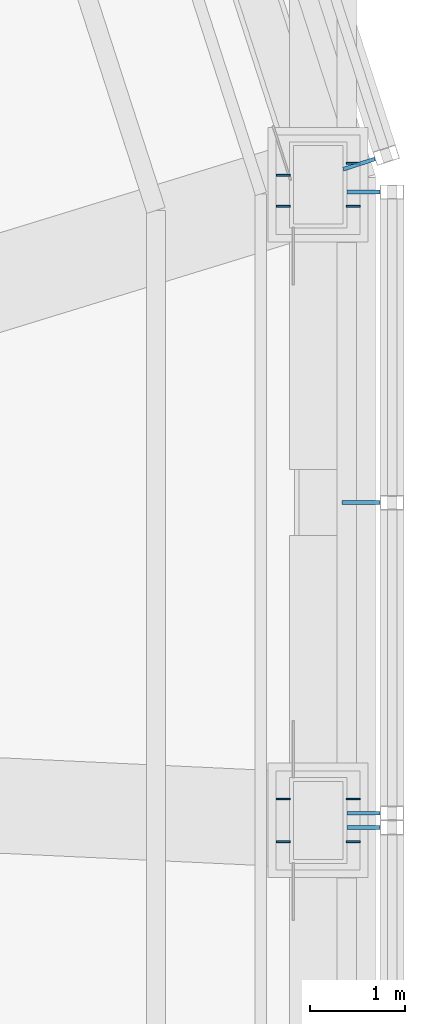
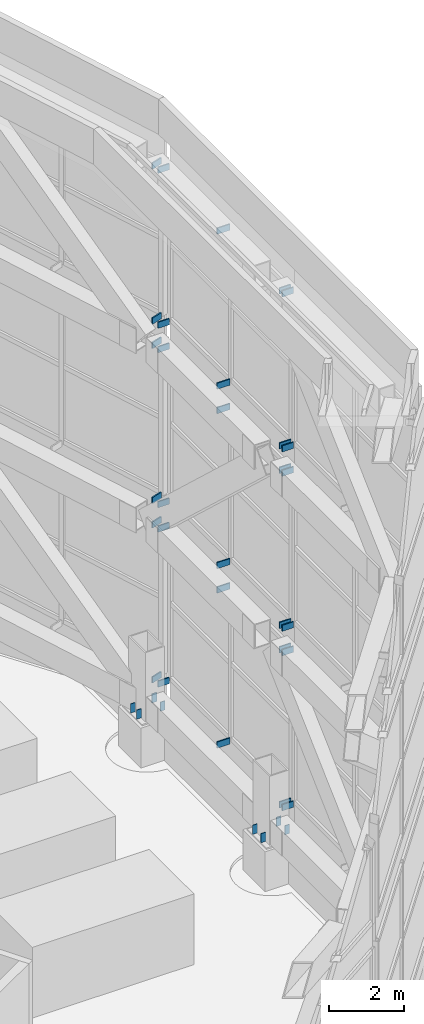
# One storey, part 37 of 46: 38 discrete accessories.
"""IFC4 building model written with IfcOpenShell, lengths in metres."""

from ifc_helpers import new_model, si_unit, direction, frame, origin, origin_2d, place, context, subcontext, project, spatial, rectangle, extrude, material, layer, layer_set, type_object, element, save


model = new_model("IFC4")

# Units and contexts
model_context = context("Model", 3, precision=1e-05, world=origin(), true_north=direction((0.0, 1.0)))
body_context = subcontext(model_context, "Body", "Model", "MODEL_VIEW")
ifc_project = project(units=[si_unit("LENGTHUNIT", "METRE"), si_unit("AREAUNIT", "SQUARE_METRE"), si_unit("VOLUMEUNIT", "CUBIC_METRE"), si_unit("PLANEANGLEUNIT", "RADIAN"), si_unit("MASSUNIT", "GRAM", prefix="KILO")], contexts=[model_context])

# Site, building, storey
site_placement = place(None, origin())
site = spatial("IfcSite", under=ifc_project, at=site_placement, CompositionType="ELEMENT")
building_placement = place(site_placement, origin())
building = spatial("IfcBuilding", under=site, at=building_placement, Name="Vanh Sen Convention Tower", CompositionType="ELEMENT")
storey_placement = place(building_placement, frame((0.0, 0.0, 305.0)))
storey = spatial("IfcBuildingStorey", under=building, at=storey_placement, Name="Roof level", CompositionType="ELEMENT", Elevation=305.0)

# Discrete accessories
ifc_material_1 = material(Name="Steel S355", Category="steel")
ifc_layer = layer(ifc_material_1, 0.02001953125)
ifc_layer_set = layer_set([ifc_layer], Name="Steel S355")
discrete_accessory_type_1 = type_object("IfcDiscreteAccessoryType", Name="Crown base plate stiffener 140 x 300 x 20", PredefinedType="USERDEFINED", material=ifc_layer_set)
for number, where, z_axis, x_axis, name in (
    (1, (18.4326171875, -0.658447265625, 1.34521484375), (0.0, 0.0, 1.0), (-1.0, 0.0, 0.0), "STIFFENER crown column 02 rib 1"),
    (2, (18.4326171875, -1.1083984375, 1.34521484375), (0.0, 0.0, 1.0), (-1.0, 0.0, 0.0), "STIFFENER crown column 02 rib 2"),
    (3, (19.16748046875, -0.658447265625, 1.34521484375), (0.0, 0.0, 1.0), (-1.0, 0.0, 0.0), "STIFFENER crown column 02 rib 3"),
    (4, (19.16748046875, -1.1083984375, 1.34521484375), (0.0, 0.0, 1.0), (-1.0, 0.0, 0.0), "STIFFENER crown column 02 rib 4"),
    (5, (18.4326171875, 5.8798828125, 1.34521484375), (0.0, 0.0, 1.0), (-1.0, 0.0, 0.0), "STIFFENER crown column 03 rib 1"),
    (6, (18.4326171875, 5.554931640625, 1.34521484375), (0.0, 0.0, 1.0), (-1.0, 0.0, 0.0), "STIFFENER crown column 03 rib 2"),
    (7, (19.16748046875, 6.0048828125, 1.34521484375), (0.0, 0.0, 1.0), (-1.0, 0.0, 0.0), "STIFFENER crown column 03 rib 3"),
    (8, (19.16748046875, 5.554931640625, 1.34521484375), (0.0, 0.0, 1.0), (-1.0, 0.0, 0.0), "STIFFENER crown column 03 rib 4"),
):
    element("IfcDiscreteAccessory", number, at=place(storey_placement, frame(where, z_axis=z_axis, x_axis=x_axis)), inside=storey, type_object=discrete_accessory_type_1, Name=name, ObjectType="STIFFENER", PredefinedType="USERDEFINED", context=body_context, shape_type="SweptSolid", body=[
        extrude(rectangle(XDim=0.14501953125, YDim=0.02001953125, at=origin_2d()), origin(), (0.0, 0.0, 1.0), 0.300048828125),
    ])
ifc_material_2 = material(Name="Steel S355", Category="steel")
discrete_accessory_type_2 = type_object("IfcDiscreteAccessoryType", Name="Crown screen bracket 40 x 200", PredefinedType="BRACKET", material=ifc_material_2)
for number, where, z_axis, x_axis, name in (
    (9, (19.27490234375, -0.95849609375, 2.044921875), (0.0, 0.0, 1.0), (1.0, 0.0, 0.0), "Crown screen bracket 01-1-3"),
    (10, (19.27490234375, -0.95849609375, 7.11328125), (0.0, 0.0, 1.0), (1.0, 0.0, 0.0), "Crown screen bracket 01-1-6"),
    (11, (19.27490234375, -0.95849609375, 7.9130859375), (0.0, 0.0, 1.0), (1.0, 0.0, 0.0), "Crown screen bracket 01-2-3"),
    (12, (19.27490234375, -0.95849609375, 12.98193359375), (0.0, 0.0, 1.0), (1.0, 0.0, 0.0), "Crown screen bracket 01-2-6"),
    (13, (19.27490234375, -0.95849609375, 13.78173828125), (0.0, 0.0, 1.0), (1.0, 0.0, 0.0), "Crown screen bracket 01-3-3"),
    (14, (19.27490234375, -0.95849609375, 18.85009765625), (0.0, 0.0, 1.0), (1.0, 0.0, 0.0), "Crown screen bracket 01-3-6"),
    (15, (19.27490234375, -0.808349609375, 2.044921875), (0.0, 0.0, 1.0), (1.0, 0.0, 0.0), "Crown screen bracket 02-1-1"),
):
    element("IfcDiscreteAccessory", number, at=place(storey_placement, frame(where, z_axis=z_axis, x_axis=x_axis)), inside=storey, type_object=discrete_accessory_type_2, Name=name, PredefinedType="BRACKET", context=body_context, shape_type="SweptSolid", body=[
        extrude(rectangle(XDim=0.35009765625, YDim=0.0400390625, at=origin_2d()), origin(), (0.0, 0.0, 1.0), 0.199951171875),
    ])
discrete_accessory_1_placement = place(storey_placement, frame((19.25, 2.4482421875, 2.044921875), z_axis=(0.0, 0.0, 1.0), x_axis=(1.0, 0.0, 0.0)))
element("IfcDiscreteAccessory", 16, at=discrete_accessory_1_placement, inside=storey, type_object=discrete_accessory_type_2, Name="Crown screen bracket 02-1-2", PredefinedType="BRACKET", context=body_context, shape_type="SweptSolid", body=[
    extrude(rectangle(XDim=0.39990234375, YDim=0.0400390625, at=origin_2d()), origin(), (0.0, 0.0, 1.0), 0.199951171875),
])
for number, where, z_axis, x_axis, name in (
    (17, (19.27490234375, 5.704833984375, 2.044921875), (0.0, 0.0, 1.0), (1.0, 0.0, 0.0), "Crown screen bracket 02-1-3"),
    (18, (19.27490234375, -0.808349609375, 7.11328125), (0.0, 0.0, 1.0), (1.0, 0.0, 0.0), "Crown screen bracket 02-1-4"),
):
    element("IfcDiscreteAccessory", number, at=place(storey_placement, frame(where, z_axis=z_axis, x_axis=x_axis)), inside=storey, type_object=discrete_accessory_type_2, Name=name, PredefinedType="BRACKET", context=body_context, shape_type="SweptSolid", body=[
        extrude(rectangle(XDim=0.35009765625, YDim=0.0400390625, at=origin_2d()), origin(), (0.0, 0.0, 1.0), 0.199951171875),
    ])
discrete_accessory_2_placement = place(storey_placement, frame((19.25, 2.4482421875, 7.11328125), z_axis=(0.0, 0.0, 1.0), x_axis=(1.0, 0.0, 0.0)))
element("IfcDiscreteAccessory", 19, at=discrete_accessory_2_placement, inside=storey, type_object=discrete_accessory_type_2, Name="Crown screen bracket 02-1-5", PredefinedType="BRACKET", context=body_context, shape_type="SweptSolid", body=[
    extrude(rectangle(XDim=0.39990234375, YDim=0.0400390625, at=origin_2d()), origin(), (0.0, 0.0, 1.0), 0.199951171875),
])
for number, where, z_axis, x_axis, name in (
    (20, (19.27490234375, 5.704833984375, 7.11328125), (0.0, 0.0, 1.0), (1.0, 0.0, 0.0), "Crown screen bracket 02-1-6"),
    (21, (19.27490234375, -0.808349609375, 7.9130859375), (0.0, 0.0, 1.0), (1.0, 0.0, 0.0), "Crown screen bracket 02-2-1"),
):
    element("IfcDiscreteAccessory", number, at=place(storey_placement, frame(where, z_axis=z_axis, x_axis=x_axis)), inside=storey, type_object=discrete_accessory_type_2, Name=name, PredefinedType="BRACKET", context=body_context, shape_type="SweptSolid", body=[
        extrude(rectangle(XDim=0.35009765625, YDim=0.0400390625, at=origin_2d()), origin(), (0.0, 0.0, 1.0), 0.199951171875),
    ])
discrete_accessory_3_placement = place(storey_placement, frame((19.25, 2.4482421875, 7.9130859375), z_axis=(0.0, 0.0, 1.0), x_axis=(1.0, 0.0, 0.0)))
element("IfcDiscreteAccessory", 22, at=discrete_accessory_3_placement, inside=storey, type_object=discrete_accessory_type_2, Name="Crown screen bracket 02-2-2", PredefinedType="BRACKET", context=body_context, shape_type="SweptSolid", body=[
    extrude(rectangle(XDim=0.39990234375, YDim=0.0400390625, at=origin_2d()), origin(), (0.0, 0.0, 1.0), 0.199951171875),
])
for number, where, z_axis, x_axis, name in (
    (23, (19.27490234375, 5.704833984375, 7.9130859375), (0.0, 0.0, 1.0), (1.0, 0.0, 0.0), "Crown screen bracket 02-2-3"),
    (24, (19.27490234375, -0.808349609375, 12.98193359375), (0.0, 0.0, 1.0), (1.0, 0.0, 0.0), "Crown screen bracket 02-2-4"),
):
    element("IfcDiscreteAccessory", number, at=place(storey_placement, frame(where, z_axis=z_axis, x_axis=x_axis)), inside=storey, type_object=discrete_accessory_type_2, Name=name, PredefinedType="BRACKET", context=body_context, shape_type="SweptSolid", body=[
        extrude(rectangle(XDim=0.35009765625, YDim=0.0400390625, at=origin_2d()), origin(), (0.0, 0.0, 1.0), 0.199951171875),
    ])
discrete_accessory_4_placement = place(storey_placement, frame((19.25, 2.4482421875, 12.98193359375), z_axis=(0.0, 0.0, 1.0), x_axis=(1.0, 0.0, 0.0)))
element("IfcDiscreteAccessory", 25, at=discrete_accessory_4_placement, inside=storey, type_object=discrete_accessory_type_2, Name="Crown screen bracket 02-2-5", PredefinedType="BRACKET", context=body_context, shape_type="SweptSolid", body=[
    extrude(rectangle(XDim=0.39990234375, YDim=0.0400390625, at=origin_2d()), origin(), (0.0, 0.0, 1.0), 0.199951171875),
])
for number, where, z_axis, x_axis, name in (
    (26, (19.27490234375, 5.704833984375, 12.98193359375), (0.0, 0.0, 1.0), (1.0, 0.0, 0.0), "Crown screen bracket 02-2-6"),
    (27, (19.27490234375, -0.808349609375, 13.78173828125), (0.0, 0.0, 1.0), (1.0, 0.0, 0.0), "Crown screen bracket 02-3-1"),
):
    element("IfcDiscreteAccessory", number, at=place(storey_placement, frame(where, z_axis=z_axis, x_axis=x_axis)), inside=storey, type_object=discrete_accessory_type_2, Name=name, PredefinedType="BRACKET", context=body_context, shape_type="SweptSolid", body=[
        extrude(rectangle(XDim=0.35009765625, YDim=0.0400390625, at=origin_2d()), origin(), (0.0, 0.0, 1.0), 0.199951171875),
    ])
discrete_accessory_5_placement = place(storey_placement, frame((19.25, 2.4482421875, 13.78173828125), z_axis=(0.0, 0.0, 1.0), x_axis=(1.0, 0.0, 0.0)))
element("IfcDiscreteAccessory", 28, at=discrete_accessory_5_placement, inside=storey, type_object=discrete_accessory_type_2, Name="Crown screen bracket 02-3-2", PredefinedType="BRACKET", context=body_context, shape_type="SweptSolid", body=[
    extrude(rectangle(XDim=0.39990234375, YDim=0.0400390625, at=origin_2d()), origin(), (0.0, 0.0, 1.0), 0.199951171875),
])
for number, where, z_axis, x_axis, name in (
    (29, (19.27490234375, 5.704833984375, 13.78173828125), (0.0, 0.0, 1.0), (1.0, 0.0, 0.0), "Crown screen bracket 02-3-3"),
    (30, (19.27490234375, -0.808349609375, 18.85009765625), (0.0, 0.0, 1.0), (1.0, 0.0, 0.0), "Crown screen bracket 02-3-4"),
):
    element("IfcDiscreteAccessory", number, at=place(storey_placement, frame(where, z_axis=z_axis, x_axis=x_axis)), inside=storey, type_object=discrete_accessory_type_2, Name=name, PredefinedType="BRACKET", context=body_context, shape_type="SweptSolid", body=[
        extrude(rectangle(XDim=0.35009765625, YDim=0.0400390625, at=origin_2d()), origin(), (0.0, 0.0, 1.0), 0.199951171875),
    ])
discrete_accessory_6_placement = place(storey_placement, frame((19.25, 2.4482421875, 18.85009765625), z_axis=(0.0, 0.0, 1.0), x_axis=(1.0, 0.0, 0.0)))
element("IfcDiscreteAccessory", 31, at=discrete_accessory_6_placement, inside=storey, type_object=discrete_accessory_type_2, Name="Crown screen bracket 02-3-5", PredefinedType="BRACKET", context=body_context, shape_type="SweptSolid", body=[
    extrude(rectangle(XDim=0.39990234375, YDim=0.0400390625, at=origin_2d()), origin(), (0.0, 0.0, 1.0), 0.199951171875),
])
for number, where, z_axis, x_axis, name in (
    (32, (19.27490234375, 5.704833984375, 18.85009765625), (0.0, 0.0, 1.0), (1.0, 0.0, 0.0), "Crown screen bracket 02-3-6"),
    (33, (19.22900390625, 5.997314453125, 2.044921875), (0.0, 0.0, 1.0), (0.95147255766, 0.307733605607, 0.0), "Crown screen bracket 03-1-1"),
    (34, (19.22900390625, 5.997314453125, 7.11328125), (0.0, 0.0, 1.0), (0.95147255766, 0.307733605607, 0.0), "Crown screen bracket 03-1-4"),
    (35, (19.22900390625, 5.997314453125, 7.9130859375), (0.0, 0.0, 1.0), (0.95147255766, 0.307733605607, 0.0), "Crown screen bracket 03-2-1"),
    (36, (19.22900390625, 5.997314453125, 12.98193359375), (0.0, 0.0, 1.0), (0.95147255766, 0.307733605607, 0.0), "Crown screen bracket 03-2-4"),
    (37, (19.22900390625, 5.997314453125, 13.78173828125), (0.0, 0.0, 1.0), (0.95147255766, 0.307733605607, 0.0), "Crown screen bracket 03-3-1"),
    (38, (19.22900390625, 5.997314453125, 18.85009765625), (0.0, 0.0, 1.0), (0.95147255766, 0.307733605607, 0.0), "Crown screen bracket 03-3-4"),
):
    element("IfcDiscreteAccessory", number, at=place(storey_placement, frame(where, z_axis=z_axis, x_axis=x_axis)), inside=storey, type_object=discrete_accessory_type_2, Name=name, PredefinedType="BRACKET", context=body_context, shape_type="SweptSolid", body=[
        extrude(rectangle(XDim=0.35009765625, YDim=0.0400390625, at=origin_2d()), origin(), (0.0, 0.0, 1.0), 0.199951171875),
    ])

save(model, "model.ifc")
